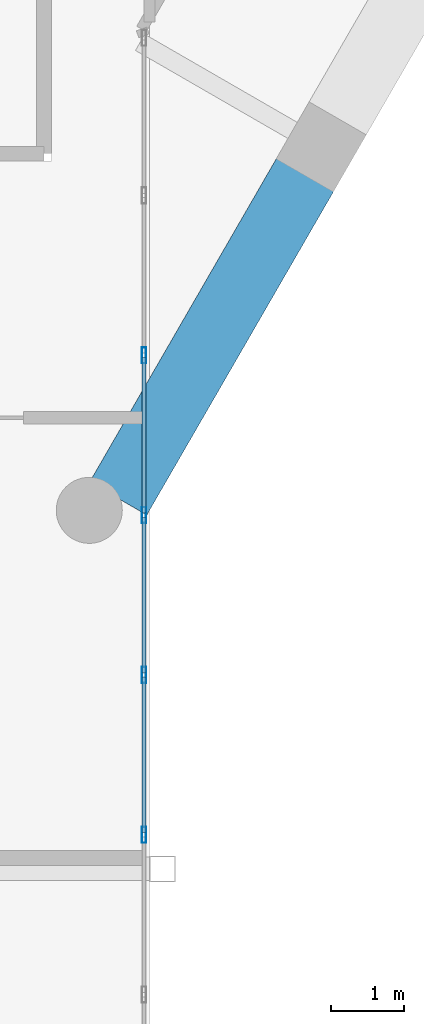
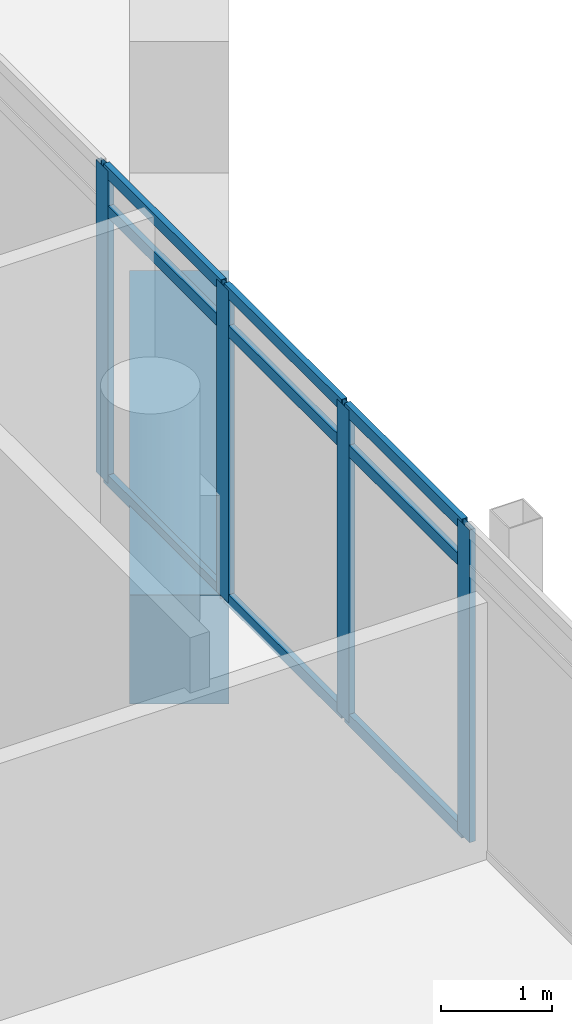
# One storey, part 8 of 25: 13 members, 1 beam, 1 element without a shape of its own.
"""IFC4 building model written with IfcOpenShell, lengths in metres."""

import ifcopenshell
import ifcopenshell.guid

model = None  # the IFC model being written
_history = None  # IfcOwnerHistory: only IFC2X3 demands one
_inside = {}  # id of a spatial element -> (the spatial element, [elements in it])
_under = {}  # id of a project, library or spatial element -> (it, [spatial elements below it])
_declared = {}  # id of a project -> (the project, [libraries it declares])
_typed = {}  # id of a type object -> (the type object, [elements of that type])
_made_of = {}  # id of a material, layer set ... -> (it, [elements and type objects made of it])


def new_model(schema):
    """Start an empty IFC model of exactly this schema.

    Asked for "IFC4X3", IfcOpenShell would pick the latest addendum, in which some entities
    have other attributes; the version numbers below select the first issue.
    IFC2X3 requires an IfcOwnerHistory on every rooted entity: one is made here for all.
    """
    global model, _history
    if schema == "IFC4X3":
        model = ifcopenshell.file(schema_version=(4, 3, 0, 0))
    else:
        model = ifcopenshell.file(schema=schema)
    _inside.clear()
    _under.clear()
    _declared.clear()
    _typed.clear()
    _made_of.clear()
    _history = None
    if model.schema == "IFC2X3":
        org = make("IfcOrganization", Name="unknown")
        user = make(
            "IfcPersonAndOrganization",
            ThePerson=make("IfcPerson", FamilyName="unknown"),
            TheOrganization=org,
        )
        app = make(
            "IfcApplication",
            ApplicationDeveloper=org,
            Version="unknown",
            ApplicationFullName="unknown",
            ApplicationIdentifier="unknown",
        )
        _history = make(
            "IfcOwnerHistory",
            OwningUser=user,
            OwningApplication=app,
            ChangeAction="ADDED",
            CreationDate=0,
        )
    return model


def make(cls, **values):
    """One entity of the class cls with the attributes given. An attribute that is None is left unset."""
    return model.create_entity(
        cls, **{name: value for name, value in values.items() if value is not None}
    )


def rooted(cls, **values):
    """An entity with a GlobalId (a new one), such as an element, a storey or a relation."""
    return make(cls, GlobalId=ifcopenshell.guid.new(), OwnerHistory=_history, **values)


def si_unit(unit_type, name, prefix=None):
    """IfcSIUnit, for example si_unit("LENGTHUNIT", "METRE", prefix="MILLI")."""
    return make("IfcSIUnit", UnitType=unit_type, Prefix=prefix, Name=name)


def assignment(units):
    """IfcUnitAssignment: the units of a project."""
    return None if units is None else make("IfcUnitAssignment", Units=units)


def point(xyz):
    """IfcCartesianPoint."""
    return None if xyz is None else make("IfcCartesianPoint", Coordinates=xyz)


def direction(xyz):
    """IfcDirection."""
    return None if xyz is None else make("IfcDirection", DirectionRatios=xyz)


def frame(location, z_axis=None, x_axis=None):
    """IfcAxis2Placement3D, a coordinate frame: its origin and axes. An axis left out is left unset."""
    return make(
        "IfcAxis2Placement3D",
        Location=point(location),
        Axis=direction(z_axis),
        RefDirection=direction(x_axis),
    )


def frame_2d(location, x_axis=None):
    """IfcAxis2Placement2D, a coordinate frame in the plane: its origin and x axis."""
    return make(
        "IfcAxis2Placement2D", Location=point(location), RefDirection=direction(x_axis)
    )


def origin():
    """The frame at (0, 0, 0) with its axes left unset."""
    return frame((0.0, 0.0, 0.0))


def origin_2d():
    """The frame at (0, 0) in the plane with its x axis left unset."""
    return frame_2d((0.0, 0.0))


def place(relative_to, where):
    """IfcLocalPlacement: puts the frame where relative to a parent placement (None: the world)."""
    return make(
        "IfcLocalPlacement", PlacementRelTo=relative_to, RelativePlacement=where
    )


def context(
    kind, dimensions, precision=None, world=None, true_north=None, identifier=None
):
    """IfcGeometricRepresentationContext, for example the 3D "Model" context."""
    return make(
        "IfcGeometricRepresentationContext",
        ContextIdentifier=identifier,
        ContextType=kind,
        CoordinateSpaceDimension=dimensions,
        Precision=precision,
        WorldCoordinateSystem=world,
        TrueNorth=true_north,
    )


def subcontext(parent, identifier, kind, view, scale=None):
    """IfcGeometricRepresentationSubContext, for example "Body" below "Model"."""
    return make(
        "IfcGeometricRepresentationSubContext",
        ContextIdentifier=identifier,
        ContextType=kind,
        ParentContext=parent,
        TargetScale=scale,
        TargetView=view,
    )


def project(units=None, contexts=None):
    """IfcProject with its units and contexts."""
    return rooted(
        "IfcProject",
        Name="project",
        RepresentationContexts=contexts,
        UnitsInContext=assignment(units),
    )


def spatial(cls, under=None, at=None, **own):
    """A site, building, storey or space (cls), placed at a placement, below another one or the project."""
    s = rooted(cls, ObjectPlacement=at, **own)
    if under is not None:
        _under.setdefault(under.id(), (under, []))[1].append(s)
    return s


def profile(cls, at=None, kind="AREA", **sizes):
    """A parametric profile (cls). Its sizes go by their IFC names, for example OverallWidth=200.0."""
    return make(cls, ProfileType=kind, Position=at, **sizes)


def rectangle(**sizes):
    """IfcRectangleProfileDef."""
    return profile("IfcRectangleProfileDef", **sizes)


def hollow_rectangle(**sizes):
    """IfcRectangleHollowProfileDef."""
    return profile("IfcRectangleHollowProfileDef", **sizes)


def extrude(swept, where, along, depth):
    """IfcExtrudedAreaSolid: the profile swept, set in the frame where, extruded along a direction by depth."""
    return make(
        "IfcExtrudedAreaSolid",
        SweptArea=swept,
        Position=where,
        ExtrudedDirection=direction(along),
        Depth=depth,
    )


def shape(context_of_items, identifier, shape_type, items):
    """IfcShapeRepresentation: the items that make up one representation, for example the "Body"."""
    return make(
        "IfcShapeRepresentation",
        ContextOfItems=context_of_items,
        RepresentationIdentifier=identifier,
        RepresentationType=shape_type,
        Items=items,
    )


def material(Name=None, Category=None):
    """IfcMaterial."""
    return make("IfcMaterial", Name=Name, Category=Category)


def material_profile(
    of_material, cross_section, Name=None, Category=None, Priority=None
):
    """IfcMaterialProfile: a cross section and its material."""
    return make(
        "IfcMaterialProfile",
        Name=Name,
        Material=of_material,
        Profile=cross_section,
        Priority=Priority,
        Category=Category,
    )


def profile_set(profiles, Name=None, composite=None):
    """IfcMaterialProfileSet."""
    return make(
        "IfcMaterialProfileSet",
        Name=Name,
        MaterialProfiles=profiles,
        CompositeProfile=composite,
    )


def made_of(thing, what):
    """Note that an element or type object is made of a material, layer set ...; save() writes the relation."""
    if what is not None:
        _made_of.setdefault(what.id(), (what, []))[1].append(thing)
    return thing


def type_object(cls, material=None, **own):
    """A type object (cls), such as IfcWallType, which elements share."""
    return made_of(rooted(cls, **own), material)


def element(
    cls,
    number,
    at=None,
    inside=None,
    cuts=None,
    type_object=None,
    material=None,
    context=None,
    identifier="Body",
    shape_type=None,
    held_by="IfcProductDefinitionShape",
    body=None,
    shapes=None,
    **own,
):
    """One element of the class cls, such as IfcWall. Its Tag is "e" and its number.

    at: its placement. inside: the storey or other place that contains it. cuts: it is an
    opening in that element (IfcRelVoidsElement). A single representation is given by context,
    identifier, shape_type and body (its items); several are given by shapes. held_by: the class
    of the entity that holds the representations. save() writes the other relations.
    """
    e = rooted(cls, Tag="e%d" % number, ObjectPlacement=at, **own)
    if body is not None:
        shapes = [shape(context, identifier, shape_type, body)]
    if shapes is not None:
        e.Representation = make(held_by, Representations=shapes)
    if inside is not None:
        _inside.setdefault(inside.id(), (inside, []))[1].append(e)
    if cuts is not None:
        rooted(
            "IfcRelVoidsElement", RelatingBuildingElement=cuts, RelatedOpeningElement=e
        )
    if type_object is not None:
        _typed.setdefault(type_object.id(), (type_object, []))[1].append(e)
    return made_of(e, material)


def aggregate(whole, parts):
    """IfcRelAggregates: a whole, such as a stair, and the parts it consists of."""
    return rooted("IfcRelAggregates", RelatingObject=whole, RelatedObjects=parts)


def save(model, path):
    """Write the relations noted so far, then the file.

    IfcRelAggregates (storeys below a building ...), IfcRelContainedInSpatialStructure (elements
    in a storey), IfcRelDefinesByType, IfcRelAssociatesMaterial and IfcRelDeclares: one each for
    every whole, place, type object, material and project.
    """
    for whole, parts in _under.values():
        aggregate(whole, parts)
    for where, things in _inside.values():
        rooted(
            "IfcRelContainedInSpatialStructure",
            RelatedElements=things,
            RelatingStructure=where,
        )
    for kind, things in _typed.values():
        rooted("IfcRelDefinesByType", RelatedObjects=things, RelatingType=kind)
    for what, things in _made_of.values():
        rooted("IfcRelAssociatesMaterial", RelatedObjects=things, RelatingMaterial=what)
    for by, libraries in _declared.values():
        rooted("IfcRelDeclares", RelatingContext=by, RelatedDefinitions=libraries)
    model.write(path)


model = new_model("IFC4")

# Units and contexts
model_context = context("Model", 3, precision=1e-05, world=origin(), true_north=direction((0.0, 1.0)))
body_context = subcontext(model_context, "Body", "Model", "MODEL_VIEW")
ifc_project = project(units=[si_unit("LENGTHUNIT", "METRE"), si_unit("AREAUNIT", "SQUARE_METRE"), si_unit("VOLUMEUNIT", "CUBIC_METRE"), si_unit("PLANEANGLEUNIT", "RADIAN"), si_unit("MASSUNIT", "GRAM", prefix="KILO")], contexts=[model_context])

# Site, building, storey
site_placement = place(None, origin())
site = spatial("IfcSite", under=ifc_project, at=site_placement, CompositionType="ELEMENT")
building_placement = place(site_placement, origin())
building = spatial("IfcBuilding", under=site, at=building_placement, Name="Ostrander Bayou Hotel Tower", CompositionType="ELEMENT")
storey_placement = place(building_placement, frame((0.0, 0.0, 233.25)))
storey = spatial("IfcBuildingStorey", under=building, at=storey_placement, Name="L58", CompositionType="ELEMENT", Elevation=233.25)

# Curtain wall, members
ifc_material_1 = material(Name="Aluminium and clear glass", Category="aluminium")
curtain_wall_type = type_object("IfcCurtainWallType", Name="CW-BAR glazed wall", PredefinedType="NOTDEFINED", material=ifc_material_1)
curtain_wall_placement = place(storey_placement, origin())
curtain_wall = element("IfcCurtainWall", 1, at=curtain_wall_placement, inside=storey, type_object=curtain_wall_type, Name="CW-BAR L58:SB5S:W", PredefinedType="NOTDEFINED")
ifc_material_2 = material(Name="Aluminium", Category="aluminium")
ifc_material_profile_1 = material_profile(ifc_material_2, hollow_rectangle(XDim=0.06005859375, YDim=0.219970703125, WallThickness=0.00390625, at=origin_2d()))
ifc_profile_set_1 = profile_set([ifc_material_profile_1], Name="Aluminium")
member_type_1 = type_object("IfcMemberType", Name="CW-BR mullion 60 x 220 mm", PredefinedType="MULLION", material=ifc_profile_set_1)
member_1_placement = place(storey_placement, frame((10.51220703125, -14.14892578125, 0.0), z_axis=(0.0, 0.0, 1.0), x_axis=(1.0, 0.0, 0.0)))
member_1 = element("IfcMember", 2, at=member_1_placement, type_object=member_type_1, Name="CW-BAR mullion 3", PredefinedType="MULLION", context=body_context, shape_type="SweptSolid", body=[
    extrude(hollow_rectangle(XDim=0.06005859375, YDim=0.219970703125, WallThickness=0.00390625, at=origin_2d()), origin(), (0.0, 0.0, 1.0), 3.449951171875),
])
member_2_placement = place(storey_placement, frame((10.51220703125, -16.3271484375, 0.0), z_axis=(0.0, 0.0, 1.0), x_axis=(1.0, 0.0, 0.0)))
member_2 = element("IfcMember", 3, at=member_2_placement, type_object=member_type_1, Name="CW-BAR mullion 4", PredefinedType="MULLION", context=body_context, shape_type="SweptSolid", body=[
    extrude(hollow_rectangle(XDim=0.06005859375, YDim=0.219970703125, WallThickness=0.00390625, at=origin_2d()), origin(), (0.0, 0.0, 1.0), 3.449951171875),
])
member_3_placement = place(storey_placement, frame((10.51220703125, -18.505615234375, 0.0), z_axis=(0.0, 0.0, 1.0), x_axis=(1.0, 0.0, 0.0)))
member_3 = element("IfcMember", 4, at=member_3_placement, type_object=member_type_1, Name="CW-BAR mullion 5", PredefinedType="MULLION", context=body_context, shape_type="SweptSolid", body=[
    extrude(hollow_rectangle(XDim=0.06005859375, YDim=0.219970703125, WallThickness=0.00390625, at=origin_2d()), origin(), (0.0, 0.0, 1.0), 3.449951171875),
])
member_4_placement = place(storey_placement, frame((10.51220703125, -20.683837890625, 0.0), z_axis=(0.0, 0.0, 1.0), x_axis=(1.0, 0.0, 0.0)))
member_4 = element("IfcMember", 5, at=member_4_placement, type_object=member_type_1, Name="CW-BAR mullion 6", PredefinedType="MULLION", context=body_context, shape_type="SweptSolid", body=[
    extrude(hollow_rectangle(XDim=0.06005859375, YDim=0.219970703125, WallThickness=0.00390625, at=origin_2d()), origin(), (0.0, 0.0, 1.0), 3.449951171875),
])
ifc_material_3 = material(Name="Aluminium", Category="aluminium")
ifc_material_profile_2 = material_profile(ifc_material_3, hollow_rectangle(XDim=0.06005859375, YDim=0.1298828125, WallThickness=0.00390625, at=origin_2d()))
ifc_profile_set_2 = profile_set([ifc_material_profile_2], Name="Aluminium")
member_type_2 = type_object("IfcMemberType", Name="CW-BR transom 60 x 130 mm", PredefinedType="USERDEFINED", material=ifc_profile_set_2)
member_5_placement = place(storey_placement, frame((10.51220703125, -14.178955078125, 0.030029296875), z_axis=(0.0, -1.0, 0.0), x_axis=(1.0, 0.0, 0.0)))
member_5 = element("IfcMember", 6, at=member_5_placement, type_object=member_type_2, Name="CW-BAR transom 3.1", ObjectType="TRANSOM", PredefinedType="USERDEFINED", context=body_context, shape_type="SweptSolid", body=[
    extrude(hollow_rectangle(XDim=0.06005859375, YDim=0.1298828125, WallThickness=0.00390625, at=origin_2d()), origin(), (0.0, 0.0, 1.0), 2.118408203125),
])
member_6_placement = place(storey_placement, frame((10.51220703125, -14.178955078125, 3.0), z_axis=(0.0, -1.0, 0.0), x_axis=(1.0, 0.0, 0.0)))
member_6 = element("IfcMember", 7, at=member_6_placement, type_object=member_type_2, Name="CW-BAR transom 3.2", ObjectType="TRANSOM", PredefinedType="USERDEFINED", context=body_context, shape_type="SweptSolid", body=[
    extrude(hollow_rectangle(XDim=0.06005859375, YDim=0.1298828125, WallThickness=0.00390625, at=origin_2d()), origin(), (0.0, 0.0, 1.0), 2.118408203125),
])
member_7_placement = place(storey_placement, frame((10.51220703125, -14.178955078125, 3.419921875), z_axis=(0.0, -1.0, 0.0), x_axis=(1.0, 0.0, 0.0)))
member_7 = element("IfcMember", 8, at=member_7_placement, type_object=member_type_2, Name="CW-BAR transom 3.3", ObjectType="TRANSOM", PredefinedType="USERDEFINED", context=body_context, shape_type="SweptSolid", body=[
    extrude(hollow_rectangle(XDim=0.06005859375, YDim=0.1298828125, WallThickness=0.00390625, at=origin_2d()), origin(), (0.0, 0.0, 1.0), 2.118408203125),
])
member_8_placement = place(storey_placement, frame((10.51220703125, -16.357177734375, 0.030029296875), z_axis=(0.0, -1.0, 0.0), x_axis=(1.0, 0.0, 0.0)))
member_8 = element("IfcMember", 9, at=member_8_placement, type_object=member_type_2, Name="CW-BAR transom 4.1", ObjectType="TRANSOM", PredefinedType="USERDEFINED", context=body_context, shape_type="SweptSolid", body=[
    extrude(hollow_rectangle(XDim=0.06005859375, YDim=0.1298828125, WallThickness=0.00390625, at=origin_2d()), origin(), (0.0, 0.0, 1.0), 2.118408203125),
])
member_9_placement = place(storey_placement, frame((10.51220703125, -16.357177734375, 3.0), z_axis=(0.0, -1.0, 0.0), x_axis=(1.0, 0.0, 0.0)))
member_9 = element("IfcMember", 10, at=member_9_placement, type_object=member_type_2, Name="CW-BAR transom 4.2", ObjectType="TRANSOM", PredefinedType="USERDEFINED", context=body_context, shape_type="SweptSolid", body=[
    extrude(hollow_rectangle(XDim=0.06005859375, YDim=0.1298828125, WallThickness=0.00390625, at=origin_2d()), origin(), (0.0, 0.0, 1.0), 2.118408203125),
])
member_10_placement = place(storey_placement, frame((10.51220703125, -16.357177734375, 3.419921875), z_axis=(0.0, -1.0, 0.0), x_axis=(1.0, 0.0, 0.0)))
member_10 = element("IfcMember", 11, at=member_10_placement, type_object=member_type_2, Name="CW-BAR transom 4.3", ObjectType="TRANSOM", PredefinedType="USERDEFINED", context=body_context, shape_type="SweptSolid", body=[
    extrude(hollow_rectangle(XDim=0.06005859375, YDim=0.1298828125, WallThickness=0.00390625, at=origin_2d()), origin(), (0.0, 0.0, 1.0), 2.118408203125),
])
member_11_placement = place(storey_placement, frame((10.51220703125, -18.53564453125, 0.030029296875), z_axis=(0.0, -1.0, 0.0), x_axis=(1.0, 0.0, 0.0)))
member_11 = element("IfcMember", 12, at=member_11_placement, type_object=member_type_2, Name="CW-BAR transom 5.1", ObjectType="TRANSOM", PredefinedType="USERDEFINED", context=body_context, shape_type="SweptSolid", body=[
    extrude(hollow_rectangle(XDim=0.06005859375, YDim=0.1298828125, WallThickness=0.00390625, at=origin_2d()), origin(), (0.0, 0.0, 1.0), 2.1181640625),
])
member_12_placement = place(storey_placement, frame((10.51220703125, -18.53564453125, 3.0), z_axis=(0.0, -1.0, 0.0), x_axis=(1.0, 0.0, 0.0)))
member_12 = element("IfcMember", 13, at=member_12_placement, type_object=member_type_2, Name="CW-BAR transom 5.2", ObjectType="TRANSOM", PredefinedType="USERDEFINED", context=body_context, shape_type="SweptSolid", body=[
    extrude(hollow_rectangle(XDim=0.06005859375, YDim=0.1298828125, WallThickness=0.00390625, at=origin_2d()), origin(), (0.0, 0.0, 1.0), 2.1181640625),
])
member_13_placement = place(storey_placement, frame((10.51220703125, -18.53564453125, 3.419921875), z_axis=(0.0, -1.0, 0.0), x_axis=(1.0, 0.0, 0.0)))
member_13 = element("IfcMember", 14, at=member_13_placement, type_object=member_type_2, Name="CW-BAR transom 5.3", ObjectType="TRANSOM", PredefinedType="USERDEFINED", context=body_context, shape_type="SweptSolid", body=[
    extrude(hollow_rectangle(XDim=0.06005859375, YDim=0.1298828125, WallThickness=0.00390625, at=origin_2d()), origin(), (0.0, 0.0, 1.0), 2.1181640625),
])
aggregate(curtain_wall, [member_1, member_2, member_3, member_4, member_5, member_6, member_7, member_8, member_9, member_10, member_11, member_12, member_13])

# Beam
ifc_material_4 = material(Name="Concrete f'c 60 MPa", Category="concrete")
ifc_material_profile_3 = material_profile(ifc_material_4, rectangle(XDim=0.89990234375, YDim=1.199951171875, at=origin_2d()))
ifc_profile_set_3 = profile_set([ifc_material_profile_3], Name="Concrete f'c 60 MPa")
beam_type = type_object("IfcBeamType", Name="SP4 spandrel beam 900 x 1200 mm f'c 60 MPa", PredefinedType="SPANDREL", material=ifc_profile_set_3)
beam_placement = place(storey_placement, frame((10.160888671875, -16.1005859375, -0.60009765625), z_axis=(0.500015879365, 0.866016235635, 0.0), x_axis=(-0.866016235635, 0.500015879365, 0.0)))
element("IfcBeam", 15, at=beam_placement, inside=storey, type_object=beam_type, Name="SP4 L58 SE-1", PredefinedType="SPANDREL", context=body_context, shape_type="SweptSolid", body=[
    extrude(rectangle(XDim=0.89990234375, YDim=1.199951171875, at=origin_2d()), origin(), (0.0, 0.0, 1.0), 5.113525390625),
])

save(model, "model.ifc")
